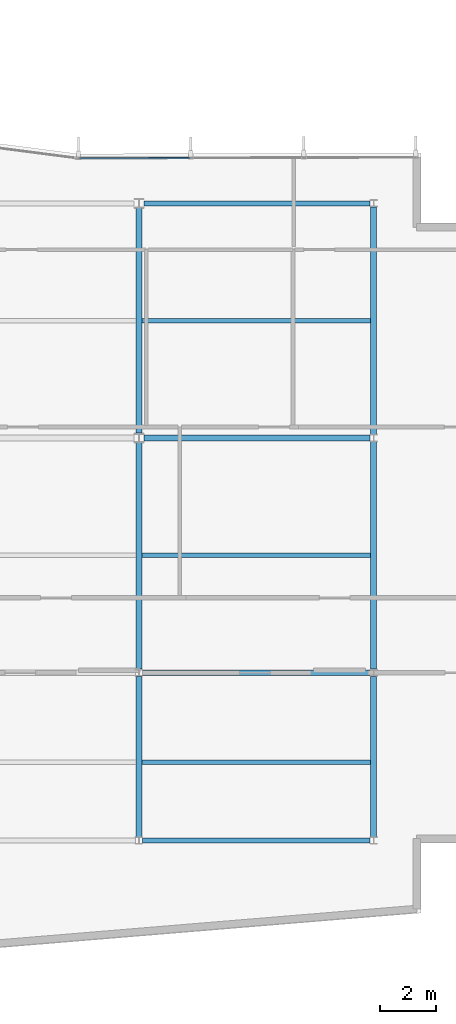
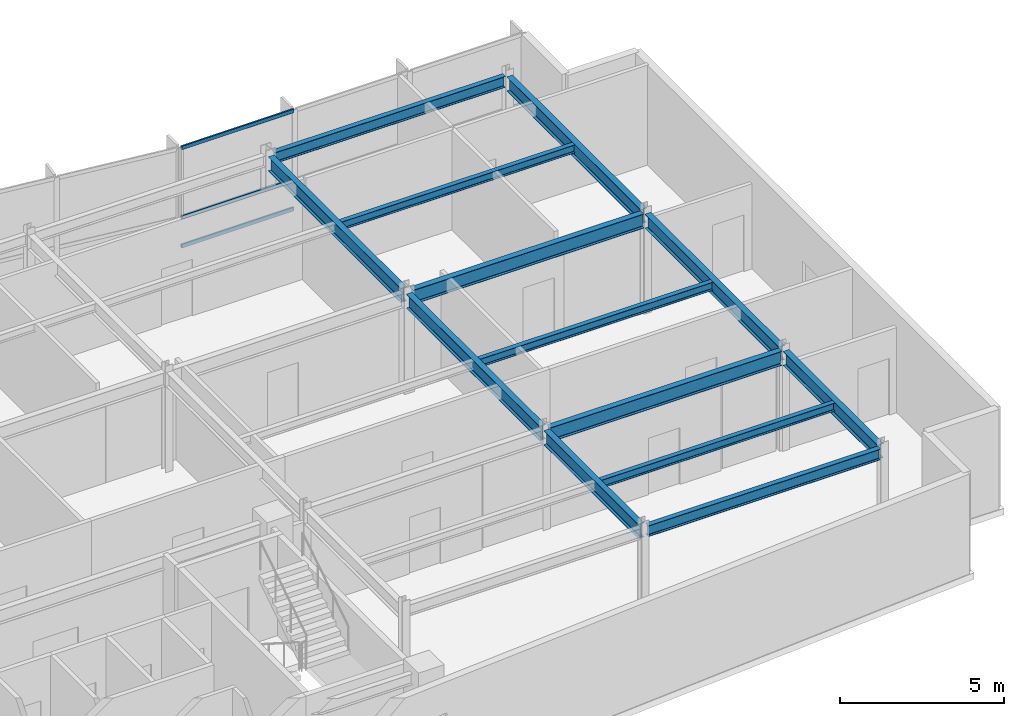
# One storey, part 7 of 15: 13 beams, 3 members, 1 element without a shape of its own.
"""IFC4 building model written with IfcOpenShell, lengths in metres."""

from ifc_helpers import new_model, si_unit, direction, frame, origin, origin_2d, place, context, subcontext, project, spatial, hollow_rectangle, i_section, extrude, material, layer, layer_set, material_profile, profile_set, type_object, element, aggregate, save


model = new_model("IFC4")

# Units and contexts
model_context = context("Model", 3, precision=1e-05, world=origin(), true_north=direction((0.0, 1.0)))
body_context = subcontext(model_context, "Body", "Model", "MODEL_VIEW")
ifc_project = project(units=[si_unit("LENGTHUNIT", "METRE"), si_unit("AREAUNIT", "SQUARE_METRE"), si_unit("VOLUMEUNIT", "CUBIC_METRE"), si_unit("PLANEANGLEUNIT", "RADIAN"), si_unit("MASSUNIT", "GRAM", prefix="KILO")], contexts=[model_context])

# Site, building, storey
site_placement = place(None, origin())
site = spatial("IfcSite", under=ifc_project, at=site_placement, CompositionType="ELEMENT")
building_placement = place(site_placement, origin())
building = spatial("IfcBuilding", under=site, at=building_placement, Name="Varnakote Quay Hospital", CompositionType="ELEMENT")
storey_placement = place(building_placement, frame((0.0, 0.0, 244.699951171875)))
storey = spatial("IfcBuildingStorey", under=building, at=storey_placement, Name="L60", CompositionType="ELEMENT", Elevation=244.699951171875)

# Beams
ifc_material_1 = material(Name="Structural steel AS/NZS 3679.1 Grade 350 L0 (fy 340 MPa)", Category="steel")
ifc_material_profile_1 = material_profile(ifc_material_1, i_section(OverallWidth=0.208984375, OverallDepth=0.528076171875, WebThickness=0.009521484375, FlangeThickness=0.01318359375, FilletRadius=0.013916015625, at=origin_2d()), Name="530UB82.0")
ifc_profile_set_1 = profile_set([ifc_material_profile_1], Name="Structural steel AS/NZS 3679.1 Grade 350 L0 (fy 340 MPa)")
beam_type_1 = type_object("IfcBeamType", Name="BM-STL-530UB82-0", PredefinedType="BEAM", material=ifc_profile_set_1)
beam_1_placement = place(storey_placement, frame((33.72705078125, 12.0, 3.446044921875), z_axis=(1.0, 0.0, 0.0), x_axis=(0.0, 1.0, 0.0)))
element("IfcBeam", 1, at=beam_1_placement, inside=storey, type_object=beam_type_1, Name="L60 Primary Floor Beam", PredefinedType="BEAM", context=body_context, shape_type="SweptSolid", body=[
    extrude(i_section(OverallWidth=0.208984375, OverallDepth=0.528076171875, WebThickness=0.009521484375, FlangeThickness=0.01318359375, FilletRadius=0.013916015625, at=origin_2d()), origin(), (0.0, 0.0, 1.0), 8.14599609375),
])
beam_2_placement = place(storey_placement, frame((33.77490234375, 20.39990234375, 3.446044921875), z_axis=(1.0, 0.0, 0.0), x_axis=(0.0, 1.0, 0.0)))
element("IfcBeam", 2, at=beam_2_placement, inside=storey, type_object=beam_type_1, Name="L60 Primary Floor Beam", PredefinedType="BEAM", context=body_context, shape_type="SweptSolid", body=[
    extrude(i_section(OverallWidth=0.208984375, OverallDepth=0.528076171875, WebThickness=0.009521484375, FlangeThickness=0.01318359375, FilletRadius=0.013916015625, at=origin_2d()), origin(), (0.0, 0.0, 1.0), 8.09814453125),
])
beam_3_placement = place(storey_placement, frame((33.60009765625, 6.126953125, 3.446044921875), z_axis=(0.0, 1.0, 0.0), x_axis=(-1.0, 0.0, 0.0)))
element("IfcBeam", 3, at=beam_3_placement, inside=storey, type_object=beam_type_1, Name="L60 Primary Tie Beam", PredefinedType="BEAM", context=body_context, shape_type="SweptSolid", body=[
    extrude(i_section(OverallWidth=0.208984375, OverallDepth=0.528076171875, WebThickness=0.009521484375, FlangeThickness=0.01318359375, FilletRadius=0.013916015625, at=origin_2d()), origin(), (0.0, 0.0, 1.0), 5.74609375),
])
beam_4_placement = place(storey_placement, frame((33.60009765625, 12.126953125, 3.446044921875), z_axis=(0.0, 1.0, 0.0), x_axis=(-1.0, 0.0, 0.0)))
element("IfcBeam", 4, at=beam_4_placement, inside=storey, type_object=beam_type_1, Name="L60 Primary Tie Beam", PredefinedType="BEAM", context=body_context, shape_type="SweptSolid", body=[
    extrude(i_section(OverallWidth=0.208984375, OverallDepth=0.528076171875, WebThickness=0.009521484375, FlangeThickness=0.01318359375, FilletRadius=0.013916015625, at=origin_2d()), origin(), (0.0, 0.0, 1.0), 8.10302734375),
])
beam_5_placement = place(storey_placement, frame((33.60009765625, 20.570068359375, 3.446044921875), z_axis=(0.0, 1.0, 0.0), x_axis=(-1.0, 0.0, 0.0)))
element("IfcBeam", 5, at=beam_5_placement, inside=storey, type_object=beam_type_1, Name="L60 Primary Tie Beam", PredefinedType="BEAM", context=body_context, shape_type="SweptSolid", body=[
    extrude(i_section(OverallWidth=0.208984375, OverallDepth=0.528076171875, WebThickness=0.009521484375, FlangeThickness=0.01318359375, FilletRadius=0.013916015625, at=origin_2d()), origin(), (0.0, 0.0, 1.0), 8.059814453125),
])
beam_6_placement = place(storey_placement, frame((42.0, 6.126953125, 3.446044921875), z_axis=(0.0, 1.0, 0.0), x_axis=(-1.0, 0.0, 0.0)))
element("IfcBeam", 6, at=beam_6_placement, inside=storey, type_object=beam_type_1, Name="L60 Primary Tie Beam", PredefinedType="BEAM", context=body_context, shape_type="SweptSolid", body=[
    extrude(i_section(OverallWidth=0.208984375, OverallDepth=0.528076171875, WebThickness=0.009521484375, FlangeThickness=0.01318359375, FilletRadius=0.013916015625, at=origin_2d()), origin(), (0.0, 0.0, 1.0), 5.74609375),
])
for number, where, z_axis, x_axis, name in (
    (7, (42.0, 12.126953125, 3.446044921875), (0.0, 1.0, 0.0), (-1.0, 0.0, 0.0), "L60 Primary Tie Beam"),
    (8, (42.0, 20.527099609375, 3.446044921875), (0.0, 1.0, 0.0), (-1.0, 0.0, 0.0), "L60 Primary Tie Beam"),
):
    element("IfcBeam", number, at=place(storey_placement, frame(where, z_axis=z_axis, x_axis=x_axis)), inside=storey, type_object=beam_type_1, Name=name, PredefinedType="BEAM", context=body_context, shape_type="SweptSolid", body=[
        extrude(i_section(OverallWidth=0.208984375, OverallDepth=0.528076171875, WebThickness=0.009521484375, FlangeThickness=0.01318359375, FilletRadius=0.013916015625, at=origin_2d()), origin(), (0.0, 0.0, 1.0), 8.14599609375),
    ])

# Curtain wall, members
ifc_material_2 = material(Name="Anodised aluminium 6063-T6 Bronze", Category="aluminium")
ifc_layer = layer(ifc_material_2, 0.235107421875)
ifc_layer_set = layer_set([ifc_layer], Name="Anodised aluminium 6063-T6 Bronze")
curtain_wall_type = type_object("IfcCurtainWallType", Name="CW-SYS-5", PredefinedType="NOTDEFINED", material=ifc_layer_set)
curtain_wall_placement = place(storey_placement, origin())
curtain_wall = element("IfcCurtainWall", 9, at=curtain_wall_placement, inside=storey, type_object=curtain_wall_type, Name="L60 Unitised Bronze Curtain Wall 1", PredefinedType="NOTDEFINED")
ifc_material_3 = material(Name="Anodised aluminium 6063-T6 Bronze", Category="aluminium")
ifc_material_profile_2 = material_profile(ifc_material_3, hollow_rectangle(XDim=0.06494140625, YDim=0.139892578125, WallThickness=0.00390625, InnerFilletRadius=0.00390625, OuterFilletRadius=0.007568359375, at=origin_2d()), Name="CW-TRAN-140x65")
ifc_profile_set_2 = profile_set([ifc_material_profile_2], Name="Anodised aluminium 6063-T6 Bronze")
member_type = type_object("IfcMemberType", Name="CW-TRAN-140x65", PredefinedType="USERDEFINED", material=ifc_profile_set_2)
member_1_placement = place(storey_placement, frame((35.418212890625, 30.41845703125, 0.032470703125), z_axis=(-0.999996625932, -0.002597715134, 0.0), x_axis=(0.002597715134, -0.999996625932, 0.0)))
member_1 = element("IfcMember", 10, at=member_1_placement, type_object=member_type, Name="-5-L60-1 transom 3.1", ObjectType="TRANSOM", PredefinedType="USERDEFINED", context=body_context, shape_type="SweptSolid", body=[
    extrude(hollow_rectangle(XDim=0.06494140625, YDim=0.139892578125, WallThickness=0.00390625, InnerFilletRadius=0.00390625, OuterFilletRadius=0.007568359375, at=origin_2d()), origin(), (0.0, 0.0, 1.0), 3.947265625),
])
member_2_placement = place(storey_placement, frame((35.418212890625, 30.41845703125, 1.10009765625), z_axis=(-0.999996625932, -0.002597715134, 0.0), x_axis=(0.002597715134, -0.999996625932, 0.0)))
member_2 = element("IfcMember", 11, at=member_2_placement, type_object=member_type, Name="-5-L60-1 transom 3.2", ObjectType="TRANSOM", PredefinedType="USERDEFINED", context=body_context, shape_type="SweptSolid", body=[
    extrude(hollow_rectangle(XDim=0.06494140625, YDim=0.139892578125, WallThickness=0.00390625, InnerFilletRadius=0.00390625, OuterFilletRadius=0.007568359375, at=origin_2d()), origin(), (0.0, 0.0, 1.0), 3.947265625),
])
member_3_placement = place(storey_placement, frame((35.418212890625, 30.41845703125, 3.677490234375), z_axis=(-0.999996625932, -0.002597715134, 0.0), x_axis=(0.002597715134, -0.999996625932, 0.0)))
member_3 = element("IfcMember", 12, at=member_3_placement, type_object=member_type, Name="-5-L60-1 transom 3.3", ObjectType="TRANSOM", PredefinedType="USERDEFINED", context=body_context, shape_type="SweptSolid", body=[
    extrude(hollow_rectangle(XDim=0.06494140625, YDim=0.139892578125, WallThickness=0.00390625, InnerFilletRadius=0.00390625, OuterFilletRadius=0.007568359375, at=origin_2d()), origin(), (0.0, 0.0, 1.0), 3.947265625),
])
aggregate(curtain_wall, [member_1, member_2, member_3])

# Beams
ifc_material_4 = material(Name="Structural steel AS/NZS 3679.1 Grade 350 L0 (fy 340 MPa)", Category="steel")
ifc_material_profile_3 = material_profile(ifc_material_4, i_section(OverallWidth=0.1650390625, OverallDepth=0.303955078125, WebThickness=0.006103515625, FlangeThickness=0.01025390625, FilletRadius=0.011474609375, at=origin_2d()), Name="310UB40.4")
ifc_profile_set_3 = profile_set([ifc_material_profile_3], Name="Structural steel AS/NZS 3679.1 Grade 350 L0 (fy 340 MPa)")
beam_type_2 = type_object("IfcBeamType", Name="JST-STL-310UB40-4", PredefinedType="JOIST", material=ifc_profile_set_3)
for number, where, z_axis, x_axis, name in (
    (13, (33.70458984375, 8.800048828125, 3.55810546875), (1.0, 0.0, 0.0), (0.0, 1.0, 0.0), "L60 Composite Floor Joist"),
    (14, (33.70458984375, 16.199951171875, 3.55810546875), (1.0, 0.0, 0.0), (0.0, 1.0, 0.0), "L60 Composite Floor Joist"),
    (15, (33.70458984375, 24.60009765625, 3.55810546875), (1.0, 0.0, 0.0), (0.0, 1.0, 0.0), "L60 Composite Floor Joist"),
):
    element("IfcBeam", number, at=place(storey_placement, frame(where, z_axis=z_axis, x_axis=x_axis)), inside=storey, type_object=beam_type_2, Name=name, PredefinedType="JOIST", context=body_context, shape_type="SweptSolid", body=[
        extrude(i_section(OverallWidth=0.1650390625, OverallDepth=0.303955078125, WebThickness=0.006103515625, FlangeThickness=0.01025390625, FilletRadius=0.011474609375, at=origin_2d()), origin(), (0.0, 0.0, 1.0), 8.19091796875),
    ])
ifc_material_5 = material(Name="Structural steel AS/NZS 3679.1 Grade 350 L0 (fy 340 MPa)", Category="steel")
ifc_material_profile_4 = material_profile(ifc_material_5, i_section(OverallWidth=0.177978515625, OverallDepth=0.406005859375, WebThickness=0.0078125, FlangeThickness=0.0126953125, FilletRadius=0.011474609375, at=origin_2d()), Name="410UB59.7")
ifc_profile_set_4 = profile_set([ifc_material_profile_4], Name="Structural steel AS/NZS 3679.1 Grade 350 L0 (fy 340 MPa)")
beam_type_3 = type_object("IfcBeamType", Name="SPN-STL-410UB59-7", PredefinedType="SPANDREL", material=ifc_profile_set_4)
beam_7_placement = place(storey_placement, frame((33.72705078125, 6.0, 3.507080078125), z_axis=(1.0, 0.0, 0.0), x_axis=(0.0, 1.0, 0.0)))
element("IfcBeam", 16, at=beam_7_placement, inside=storey, type_object=beam_type_3, Name="L60 Perimeter Spandrel Beam", PredefinedType="SPANDREL", context=body_context, shape_type="SweptSolid", body=[
    extrude(i_section(OverallWidth=0.177978515625, OverallDepth=0.406005859375, WebThickness=0.0078125, FlangeThickness=0.0126953125, FilletRadius=0.011474609375, at=origin_2d()), origin(), (0.0, 0.0, 1.0), 8.14599609375),
])
beam_8_placement = place(storey_placement, frame((33.77490234375, 28.800048828125, 3.507080078125), z_axis=(1.0, 0.0, 0.0), x_axis=(0.0, 1.0, 0.0)))
element("IfcBeam", 17, at=beam_8_placement, inside=storey, type_object=beam_type_3, Name="L60 Perimeter Spandrel Beam", PredefinedType="SPANDREL", context=body_context, shape_type="SweptSolid", body=[
    extrude(i_section(OverallWidth=0.177978515625, OverallDepth=0.406005859375, WebThickness=0.0078125, FlangeThickness=0.0126953125, FilletRadius=0.011474609375, at=origin_2d()), origin(), (0.0, 0.0, 1.0), 8.09814453125),
])

save(model, "model.ifc")
